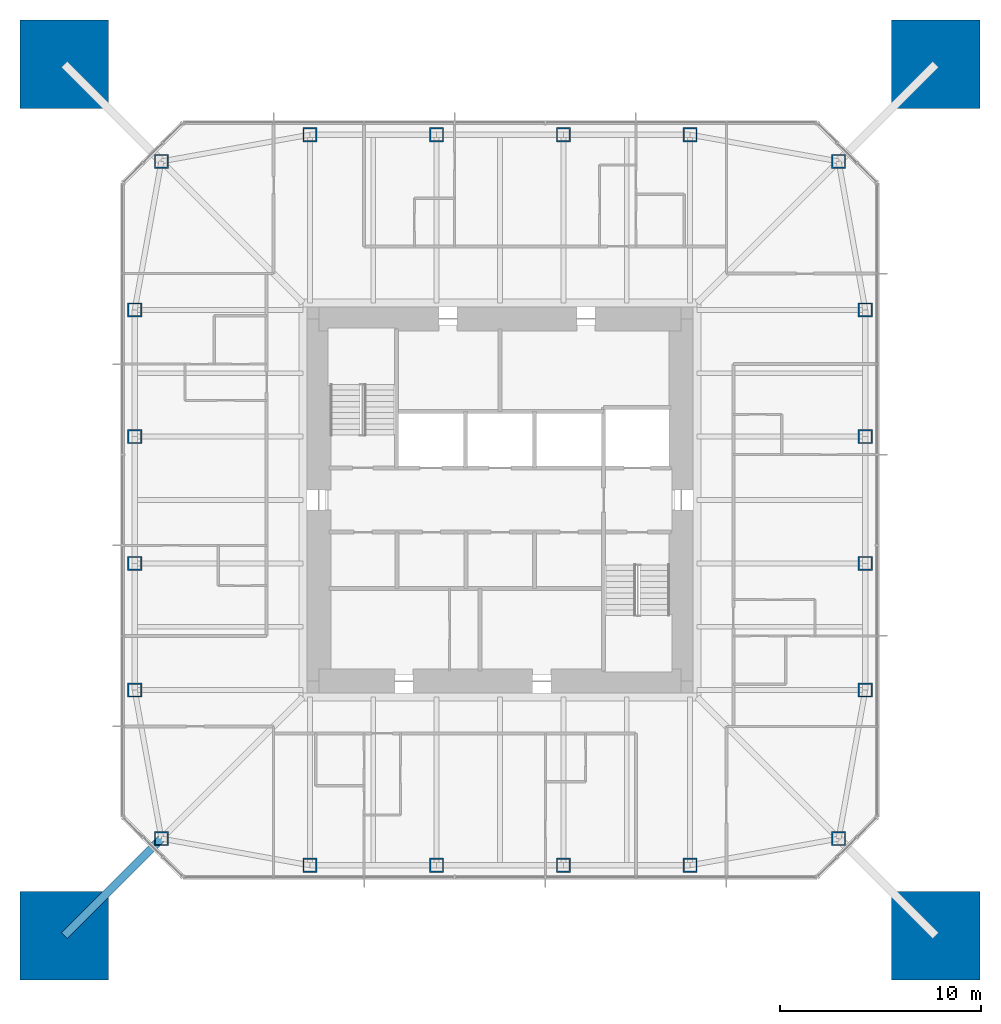
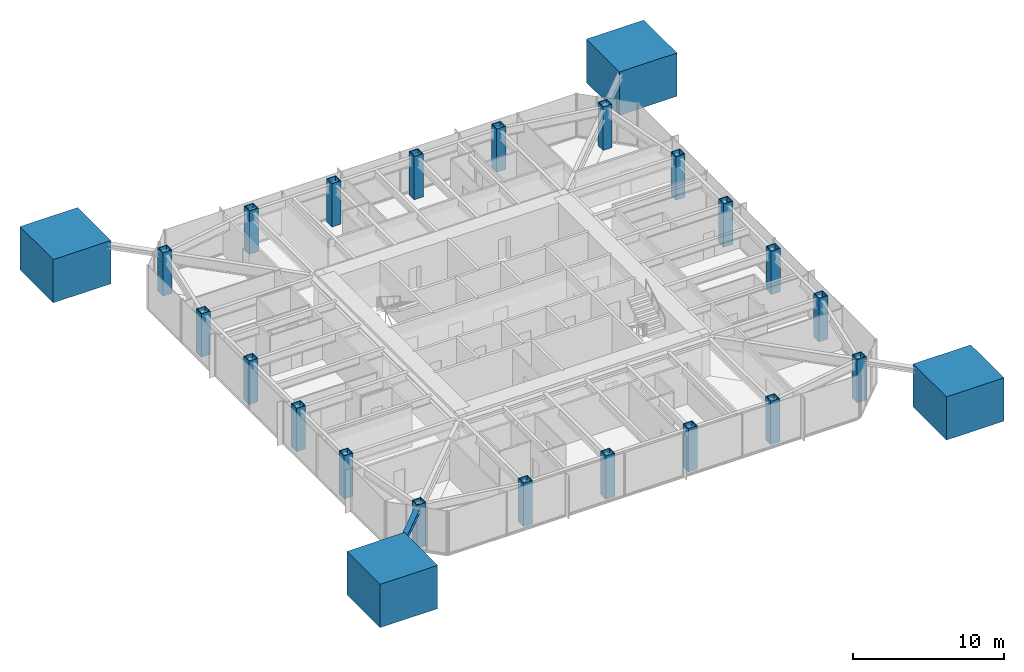
# One storey, part 1 of 11: 24 columns, 1 member.
"""IFC4 building model written with IfcOpenShell, lengths in metres."""

import ifcopenshell
import ifcopenshell.guid

model = None  # the IFC model being written
_history = None  # IfcOwnerHistory: only IFC2X3 demands one
_inside = {}  # id of a spatial element -> (the spatial element, [elements in it])
_under = {}  # id of a project, library or spatial element -> (it, [spatial elements below it])
_declared = {}  # id of a project -> (the project, [libraries it declares])
_typed = {}  # id of a type object -> (the type object, [elements of that type])
_made_of = {}  # id of a material, layer set ... -> (it, [elements and type objects made of it])


def new_model(schema):
    """Start an empty IFC model of exactly this schema.

    Asked for "IFC4X3", IfcOpenShell would pick the latest addendum, in which some entities
    have other attributes; the version numbers below select the first issue.
    IFC2X3 requires an IfcOwnerHistory on every rooted entity: one is made here for all.
    """
    global model, _history
    if schema == "IFC4X3":
        model = ifcopenshell.file(schema_version=(4, 3, 0, 0))
    else:
        model = ifcopenshell.file(schema=schema)
    _inside.clear()
    _under.clear()
    _declared.clear()
    _typed.clear()
    _made_of.clear()
    _history = None
    if model.schema == "IFC2X3":
        org = make("IfcOrganization", Name="unknown")
        user = make(
            "IfcPersonAndOrganization",
            ThePerson=make("IfcPerson", FamilyName="unknown"),
            TheOrganization=org,
        )
        app = make(
            "IfcApplication",
            ApplicationDeveloper=org,
            Version="unknown",
            ApplicationFullName="unknown",
            ApplicationIdentifier="unknown",
        )
        _history = make(
            "IfcOwnerHistory",
            OwningUser=user,
            OwningApplication=app,
            ChangeAction="ADDED",
            CreationDate=0,
        )
    return model


def make(cls, **values):
    """One entity of the class cls with the attributes given. An attribute that is None is left unset."""
    return model.create_entity(
        cls, **{name: value for name, value in values.items() if value is not None}
    )


def rooted(cls, **values):
    """An entity with a GlobalId (a new one), such as an element, a storey or a relation."""
    return make(cls, GlobalId=ifcopenshell.guid.new(), OwnerHistory=_history, **values)


def si_unit(unit_type, name, prefix=None):
    """IfcSIUnit, for example si_unit("LENGTHUNIT", "METRE", prefix="MILLI")."""
    return make("IfcSIUnit", UnitType=unit_type, Prefix=prefix, Name=name)


def assignment(units):
    """IfcUnitAssignment: the units of a project."""
    return None if units is None else make("IfcUnitAssignment", Units=units)


def point(xyz):
    """IfcCartesianPoint."""
    return None if xyz is None else make("IfcCartesianPoint", Coordinates=xyz)


def direction(xyz):
    """IfcDirection."""
    return None if xyz is None else make("IfcDirection", DirectionRatios=xyz)


def frame(location, z_axis=None, x_axis=None):
    """IfcAxis2Placement3D, a coordinate frame: its origin and axes. An axis left out is left unset."""
    return make(
        "IfcAxis2Placement3D",
        Location=point(location),
        Axis=direction(z_axis),
        RefDirection=direction(x_axis),
    )


def frame_2d(location, x_axis=None):
    """IfcAxis2Placement2D, a coordinate frame in the plane: its origin and x axis."""
    return make(
        "IfcAxis2Placement2D", Location=point(location), RefDirection=direction(x_axis)
    )


def origin():
    """The frame at (0, 0, 0) with its axes left unset."""
    return frame((0.0, 0.0, 0.0))


def origin_2d():
    """The frame at (0, 0) in the plane with its x axis left unset."""
    return frame_2d((0.0, 0.0))


def place(relative_to, where):
    """IfcLocalPlacement: puts the frame where relative to a parent placement (None: the world)."""
    return make(
        "IfcLocalPlacement", PlacementRelTo=relative_to, RelativePlacement=where
    )


def context(
    kind, dimensions, precision=None, world=None, true_north=None, identifier=None
):
    """IfcGeometricRepresentationContext, for example the 3D "Model" context."""
    return make(
        "IfcGeometricRepresentationContext",
        ContextIdentifier=identifier,
        ContextType=kind,
        CoordinateSpaceDimension=dimensions,
        Precision=precision,
        WorldCoordinateSystem=world,
        TrueNorth=true_north,
    )


def subcontext(parent, identifier, kind, view, scale=None):
    """IfcGeometricRepresentationSubContext, for example "Body" below "Model"."""
    return make(
        "IfcGeometricRepresentationSubContext",
        ContextIdentifier=identifier,
        ContextType=kind,
        ParentContext=parent,
        TargetScale=scale,
        TargetView=view,
    )


def project(units=None, contexts=None):
    """IfcProject with its units and contexts."""
    return rooted(
        "IfcProject",
        Name="project",
        RepresentationContexts=contexts,
        UnitsInContext=assignment(units),
    )


def spatial(cls, under=None, at=None, **own):
    """A site, building, storey or space (cls), placed at a placement, below another one or the project."""
    s = rooted(cls, ObjectPlacement=at, **own)
    if under is not None:
        _under.setdefault(under.id(), (under, []))[1].append(s)
    return s


def profile(cls, at=None, kind="AREA", **sizes):
    """A parametric profile (cls). Its sizes go by their IFC names, for example OverallWidth=200.0."""
    return make(cls, ProfileType=kind, Position=at, **sizes)


def rectangle(**sizes):
    """IfcRectangleProfileDef."""
    return profile("IfcRectangleProfileDef", **sizes)


def hollow_rectangle(**sizes):
    """IfcRectangleHollowProfileDef."""
    return profile("IfcRectangleHollowProfileDef", **sizes)


def i_section(**sizes):
    """IfcIShapeProfileDef."""
    return profile("IfcIShapeProfileDef", **sizes)


def extrude(swept, where, along, depth):
    """IfcExtrudedAreaSolid: the profile swept, set in the frame where, extruded along a direction by depth."""
    return make(
        "IfcExtrudedAreaSolid",
        SweptArea=swept,
        Position=where,
        ExtrudedDirection=direction(along),
        Depth=depth,
    )


def shape(context_of_items, identifier, shape_type, items):
    """IfcShapeRepresentation: the items that make up one representation, for example the "Body"."""
    return make(
        "IfcShapeRepresentation",
        ContextOfItems=context_of_items,
        RepresentationIdentifier=identifier,
        RepresentationType=shape_type,
        Items=items,
    )


def material(Name=None, Category=None):
    """IfcMaterial."""
    return make("IfcMaterial", Name=Name, Category=Category)


def material_profile(
    of_material, cross_section, Name=None, Category=None, Priority=None
):
    """IfcMaterialProfile: a cross section and its material."""
    return make(
        "IfcMaterialProfile",
        Name=Name,
        Material=of_material,
        Profile=cross_section,
        Priority=Priority,
        Category=Category,
    )


def profile_set(profiles, Name=None, composite=None):
    """IfcMaterialProfileSet."""
    return make(
        "IfcMaterialProfileSet",
        Name=Name,
        MaterialProfiles=profiles,
        CompositeProfile=composite,
    )


def made_of(thing, what):
    """Note that an element or type object is made of a material, layer set ...; save() writes the relation."""
    if what is not None:
        _made_of.setdefault(what.id(), (what, []))[1].append(thing)
    return thing


def type_object(cls, material=None, **own):
    """A type object (cls), such as IfcWallType, which elements share."""
    return made_of(rooted(cls, **own), material)


def element(
    cls,
    number,
    at=None,
    inside=None,
    cuts=None,
    type_object=None,
    material=None,
    context=None,
    identifier="Body",
    shape_type=None,
    held_by="IfcProductDefinitionShape",
    body=None,
    shapes=None,
    **own,
):
    """One element of the class cls, such as IfcWall. Its Tag is "e" and its number.

    at: its placement. inside: the storey or other place that contains it. cuts: it is an
    opening in that element (IfcRelVoidsElement). A single representation is given by context,
    identifier, shape_type and body (its items); several are given by shapes. held_by: the class
    of the entity that holds the representations. save() writes the other relations.
    """
    e = rooted(cls, Tag="e%d" % number, ObjectPlacement=at, **own)
    if body is not None:
        shapes = [shape(context, identifier, shape_type, body)]
    if shapes is not None:
        e.Representation = make(held_by, Representations=shapes)
    if inside is not None:
        _inside.setdefault(inside.id(), (inside, []))[1].append(e)
    if cuts is not None:
        rooted(
            "IfcRelVoidsElement", RelatingBuildingElement=cuts, RelatedOpeningElement=e
        )
    if type_object is not None:
        _typed.setdefault(type_object.id(), (type_object, []))[1].append(e)
    return made_of(e, material)


def aggregate(whole, parts):
    """IfcRelAggregates: a whole, such as a stair, and the parts it consists of."""
    return rooted("IfcRelAggregates", RelatingObject=whole, RelatedObjects=parts)


def save(model, path):
    """Write the relations noted so far, then the file.

    IfcRelAggregates (storeys below a building ...), IfcRelContainedInSpatialStructure (elements
    in a storey), IfcRelDefinesByType, IfcRelAssociatesMaterial and IfcRelDeclares: one each for
    every whole, place, type object, material and project.
    """
    for whole, parts in _under.values():
        aggregate(whole, parts)
    for where, things in _inside.values():
        rooted(
            "IfcRelContainedInSpatialStructure",
            RelatedElements=things,
            RelatingStructure=where,
        )
    for kind, things in _typed.values():
        rooted("IfcRelDefinesByType", RelatedObjects=things, RelatingType=kind)
    for what, things in _made_of.values():
        rooted("IfcRelAssociatesMaterial", RelatedObjects=things, RelatingMaterial=what)
    for by, libraries in _declared.values():
        rooted("IfcRelDeclares", RelatingContext=by, RelatedDefinitions=libraries)
    model.write(path)


model = new_model("IFC4")

# Units and contexts
model_context = context("Model", 3, precision=1e-05, world=origin(), true_north=direction((0.0, 1.0)))
body_context = subcontext(model_context, "Body", "Model", "MODEL_VIEW")
ifc_project = project(units=[si_unit("LENGTHUNIT", "METRE"), si_unit("AREAUNIT", "SQUARE_METRE"), si_unit("VOLUMEUNIT", "CUBIC_METRE"), si_unit("PLANEANGLEUNIT", "RADIAN"), si_unit("MASSUNIT", "GRAM", prefix="KILO")], contexts=[model_context])

# Site, building, storey
site_placement = place(None, origin())
site = spatial("IfcSite", under=ifc_project, at=site_placement, CompositionType="ELEMENT")
building_placement = place(site_placement, origin())
building = spatial("IfcBuilding", under=site, at=building_placement, Name="Iwan Alto Co-Living Towers", CompositionType="ELEMENT")
storey_placement = place(building_placement, frame((0.0, 0.0, 177.5)))
storey = spatial("IfcBuildingStorey", under=building, at=storey_placement, Name="L48", CompositionType="ELEMENT", Elevation=177.5)

# Columns
ifc_material_1 = material(Name="Concrete f'c 70 MPa", Category="concrete")
ifc_material_profile_1 = material_profile(ifc_material_1, rectangle(XDim=4.39990234375, YDim=4.39990234375, at=origin_2d()), Name="RC 4400X4400")
ifc_profile_set_1 = profile_set([ifc_material_profile_1], Name="Concrete f'c 70 MPa")
column_type_1 = type_object("IfcColumnType", Name="T1 MEGA COLUMN RC 4400X4400", PredefinedType="COLUMN", material=ifc_profile_set_1)
for number, where, z_axis, x_axis, name in (
    (1, (-21.64990234375, -21.64990234375, 0.0), (0.0, 0.0, 1.0), (1.0, 0.0, 0.0), "T1 mega column SW L48"),
    (2, (21.64990234375, -21.64990234375, 0.0), (0.0, 0.0, 1.0), (1.0, 0.0, 0.0), "T1 mega column SE L48"),
    (3, (21.64990234375, 21.64990234375, 0.0), (0.0, 0.0, 1.0), (1.0, 0.0, 0.0), "T1 mega column NE L48"),
    (4, (-21.64990234375, 21.64990234375, 0.0), (0.0, 0.0, 1.0), (1.0, 0.0, 0.0), "T1 mega column NW L48"),
):
    element("IfcColumn", number, at=place(storey_placement, frame(where, z_axis=z_axis, x_axis=x_axis)), inside=storey, type_object=column_type_1, Name=name, PredefinedType="COLUMN", context=body_context, shape_type="SweptSolid", body=[
        extrude(rectangle(XDim=4.39990234375, YDim=4.39990234375, at=origin_2d()), origin(), (0.0, 0.0, 1.0), 3.5),
        extrude(i_section(OverallWidth=0.4775390625, OverallDepth=0.599365234375, WebThickness=0.10009765625, FlangeThickness=0.139892578125, at=origin_2d()), origin(), (0.0, 0.0, 1.0), 3.5),
    ])
ifc_material_2 = material(Name="Steel ASTM A572 Gr 50", Category="steel")
ifc_material_profile_2 = material_profile(ifc_material_2, hollow_rectangle(XDim=0.699951171875, YDim=0.699951171875, WallThickness=0.06005859375, at=origin_2d()), Name="BOX 700X700X60")
ifc_profile_set_2 = profile_set([ifc_material_profile_2], Name="Steel ASTM A572 Gr 50")
column_type_2 = type_object("IfcColumnType", Name="T1 RING COLUMN BOX 700X700X60", PredefinedType="COLUMN", material=ifc_profile_set_2)
for number, where, z_axis, x_axis, name in (
    (5, (-16.82568359375, -16.82568359375, 0.0), (0.0, 0.0, 1.0), (1.0, 0.0, 0.0), "T1 ring column CSW L48"),
    (6, (-9.449951171875, -18.14990234375, 0.0), (0.0, 0.0, 1.0), (1.0, 0.0, 0.0), "T1 ring column S1 L48"),
    (7, (-3.14990234375, -18.14990234375, 0.0), (0.0, 0.0, 1.0), (1.0, 0.0, 0.0), "T1 ring column S2 L48"),
    (8, (3.14990234375, -18.14990234375, 0.0), (0.0, 0.0, 1.0), (1.0, 0.0, 0.0), "T1 ring column S3 L48"),
    (9, (9.449951171875, -18.14990234375, 0.0), (0.0, 0.0, 1.0), (1.0, 0.0, 0.0), "T1 ring column S4 L48"),
    (10, (16.82568359375, -16.82568359375, 0.0), (0.0, 0.0, 1.0), (1.0, 0.0, 0.0), "T1 ring column CSE L48"),
    (11, (18.14990234375, -9.449951171875, 0.0), (0.0, 0.0, 1.0), (1.0, 0.0, 0.0), "T1 ring column E1 L48"),
    (12, (18.14990234375, -3.14990234375, 0.0), (0.0, 0.0, 1.0), (1.0, 0.0, 0.0), "T1 ring column E2 L48"),
    (13, (18.14990234375, 3.14990234375, 0.0), (0.0, 0.0, 1.0), (1.0, 0.0, 0.0), "T1 ring column E3 L48"),
    (14, (18.14990234375, 9.449951171875, 0.0), (0.0, 0.0, 1.0), (1.0, 0.0, 0.0), "T1 ring column E4 L48"),
    (15, (16.82568359375, 16.82568359375, 0.0), (0.0, 0.0, 1.0), (1.0, 0.0, 0.0), "T1 ring column CNE L48"),
    (16, (9.449951171875, 18.14990234375, 0.0), (0.0, 0.0, 1.0), (1.0, 0.0, 0.0), "T1 ring column N1 L48"),
    (17, (3.14990234375, 18.14990234375, 0.0), (0.0, 0.0, 1.0), (1.0, 0.0, 0.0), "T1 ring column N2 L48"),
    (18, (-3.14990234375, 18.14990234375, 0.0), (0.0, 0.0, 1.0), (1.0, 0.0, 0.0), "T1 ring column N3 L48"),
    (19, (-9.449951171875, 18.14990234375, 0.0), (0.0, 0.0, 1.0), (1.0, 0.0, 0.0), "T1 ring column N4 L48"),
    (20, (-16.82568359375, 16.82568359375, 0.0), (0.0, 0.0, 1.0), (1.0, 0.0, 0.0), "T1 ring column CNW L48"),
    (21, (-18.14990234375, 9.449951171875, 0.0), (0.0, 0.0, 1.0), (1.0, 0.0, 0.0), "T1 ring column W1 L48"),
    (22, (-18.14990234375, 3.14990234375, 0.0), (0.0, 0.0, 1.0), (1.0, 0.0, 0.0), "T1 ring column W2 L48"),
    (23, (-18.14990234375, -3.14990234375, 0.0), (0.0, 0.0, 1.0), (1.0, 0.0, 0.0), "T1 ring column W3 L48"),
    (24, (-18.14990234375, -9.449951171875, 0.0), (0.0, 0.0, 1.0), (1.0, 0.0, 0.0), "T1 ring column W4 L48"),
):
    element("IfcColumn", number, at=place(storey_placement, frame(where, z_axis=z_axis, x_axis=x_axis)), inside=storey, type_object=column_type_2, Name=name, PredefinedType="COLUMN", context=body_context, shape_type="SweptSolid", body=[
        extrude(hollow_rectangle(XDim=0.699951171875, YDim=0.699951171875, WallThickness=0.06005859375, at=origin_2d()), origin(), (0.0, 0.0, 1.0), 3.5),
    ])

# Member
ifc_material_3 = material(Name="Steel ASTM A992 Gr 50", Category="steel")
ifc_material_profile_3 = material_profile(ifc_material_3, i_section(OverallWidth=0.393798828125, OverallDepth=0.3759765625, WebThickness=0.017333984375, FlangeThickness=0.027587890625, at=origin_2d()), Name="W14X145")
ifc_profile_set_3 = profile_set([ifc_material_profile_3], Name="Steel ASTM A992 Gr 50")
member_type = type_object("IfcMemberType", Name="T1 MEGA COLUMN FLOOR TIE W14X145", PredefinedType="STRUT", material=ifc_profile_set_3)
member_placement = place(storey_placement, frame((-21.64990234375, -21.64990234375, 3.08203125), z_axis=(0.707106781187, 0.707106781187, 0.0), x_axis=(-0.707106781187, 0.707106781187, 0.0)))
element("IfcMember", 25, at=member_placement, inside=storey, type_object=member_type, Name="T1 mega column floor tie SW L49", PredefinedType="STRUT", context=body_context, shape_type="SweptSolid", body=[
    extrude(i_section(OverallWidth=0.393798828125, OverallDepth=0.3759765625, WebThickness=0.017333984375, FlangeThickness=0.027587890625, at=origin_2d()), origin(), (0.0, 0.0, 1.0), 6.822509765625),
])

save(model, "model.ifc")
